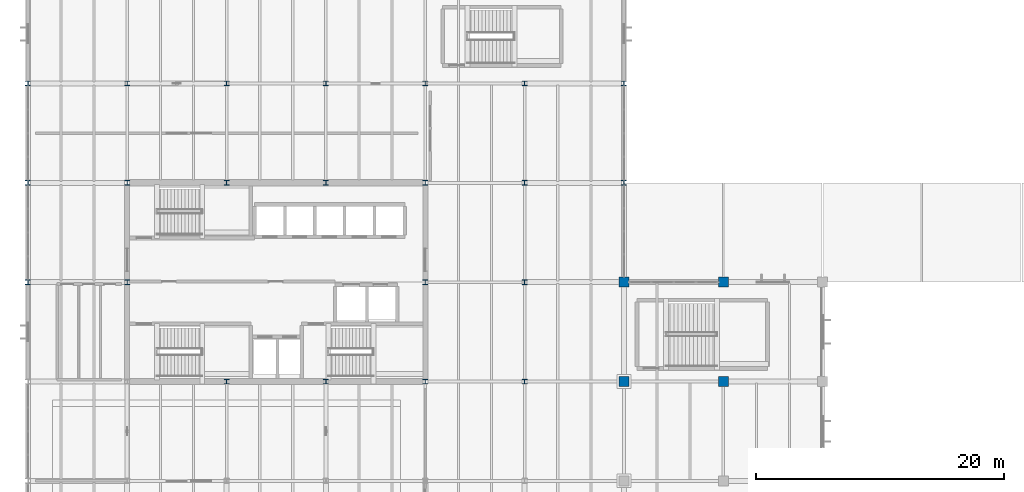
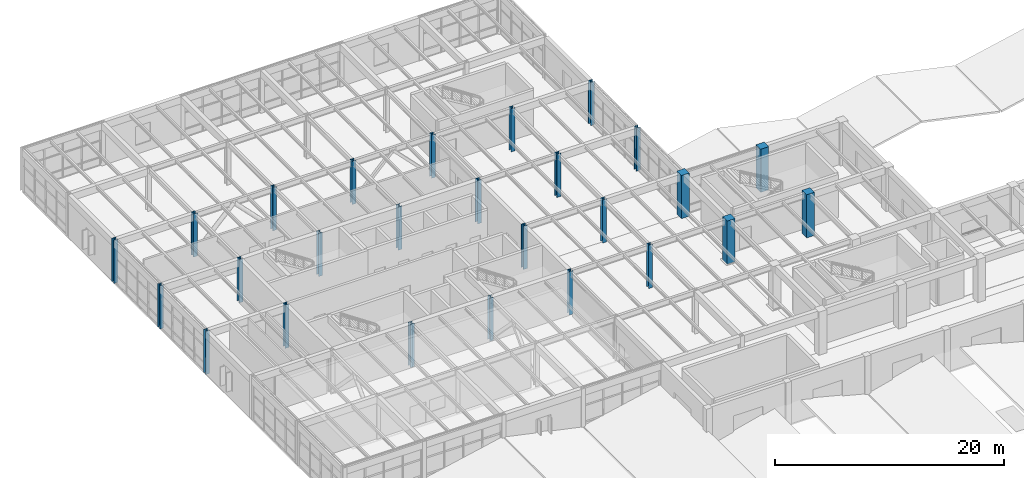
# One storey, part 2 of 60: 26 columns.
"""IFC4 building model written with IfcOpenShell, lengths in metres."""

from ifc_helpers import new_model, si_unit, direction, frame, origin, origin_2d, place, context, subcontext, project, spatial, rectangle, i_section, extrude, material, material_profile, profile_set, type_object, element, save


model = new_model("IFC4")

# Units and contexts
model_context = context("Model", 3, precision=1e-05, world=origin(), true_north=direction((0.0, 1.0)))
body_context = subcontext(model_context, "Body", "Model", "MODEL_VIEW")
ifc_project = project(units=[si_unit("LENGTHUNIT", "METRE"), si_unit("AREAUNIT", "SQUARE_METRE"), si_unit("VOLUMEUNIT", "CUBIC_METRE"), si_unit("PLANEANGLEUNIT", "RADIAN"), si_unit("MASSUNIT", "GRAM", prefix="KILO")], contexts=[model_context])

# Site, building, storey
site_placement = place(None, origin())
site = spatial("IfcSite", under=ifc_project, at=site_placement, CompositionType="ELEMENT")
building_placement = place(site_placement, origin())
building = spatial("IfcBuilding", under=site, at=building_placement, Name="Varnela Railside Interchange", CompositionType="ELEMENT")
storey_placement = place(building_placement, frame((0.0, 0.0, 6.300048828125)))
storey = spatial("IfcBuildingStorey", under=building, at=storey_placement, Name="L01", CompositionType="ELEMENT", Elevation=6.300048828125)

# Columns
ifc_material_1 = material(Name="Concrete C50", Category="concrete")
ifc_material_profile_1 = material_profile(ifc_material_1, rectangle(XDim=0.800048828125, YDim=0.800048828125, at=origin_2d()), Name="RC 800x800")
ifc_profile_set_1 = profile_set([ifc_material_profile_1], Name="Concrete C50")
column_type_1 = type_object("IfcColumnType", Name="Podium Concourse Column C-03", PredefinedType="COLUMN", material=ifc_profile_set_1)
for number, where, z_axis, x_axis, name in (
    (1, (52.0, 54.0, 0.0), (0.0, 0.0, 1.0), (1.0, 0.0, 0.0), "Column C-03 (L01) (CL-0692)"),
    (2, (52.0, 62.0, 0.0), (0.0, 0.0, 1.0), (1.0, 0.0, 0.0), "Column C-03 (L01) (CL-0693)"),
    (3, (60.0, 54.0, 0.0), (0.0, 0.0, 1.0), (1.0, 0.0, 0.0), "Column C-03 (L01) (CL-0701)"),
    (4, (60.0, 62.0, 0.0), (0.0, 0.0, 1.0), (1.0, 0.0, 0.0), "Column C-03 (L01) (CL-0702)"),
):
    element("IfcColumn", number, at=place(storey_placement, frame(where, z_axis=z_axis, x_axis=x_axis)), inside=storey, type_object=column_type_1, Name=name, PredefinedType="COLUMN", context=body_context, shape_type="SweptSolid", body=[
        extrude(rectangle(XDim=0.800048828125, YDim=0.800048828125, at=origin_2d()), origin(), (0.0, 0.0, 1.0), 4.599853515625),
    ])
ifc_material_2 = material(Name="Steel AR 350 (350 MPa)", Category="steel")
ifc_material_profile_2 = material_profile(ifc_material_2, i_section(OverallWidth=0.40087890625, OverallDepth=0.39892578125, WebThickness=0.02490234375, FlangeThickness=0.03955078125, at=origin_2d()), Name="W360x314")
ifc_profile_set_2 = profile_set([ifc_material_profile_2], Name="Steel AR 350 (350 MPa)")
column_type_2 = type_object("IfcColumnType", Name="Superstructure Steel Col C-15", PredefinedType="COLUMN", material=ifc_profile_set_2)
for number, where, z_axis, x_axis, name in (
    (5, (12.0, 62.0, 0.0), (0.0, 0.0, 1.0), (1.0, 0.0, 0.0), "Column C-15 (L01) (CL-0652)"),
    (6, (12.0, 70.0, 0.0), (0.0, 0.0, 1.0), (1.0, 0.0, 0.0), "Column C-15 (L01) (CL-0653)"),
    (7, (20.0, 54.0, 0.0), (0.0, 0.0, 1.0), (1.0, 0.0, 0.0), "Column C-15 (L01) (CL-0659)"),
    (8, (20.0, 70.0, 0.0), (0.0, 0.0, 1.0), (1.0, 0.0, 0.0), "Column C-15 (L01) (CL-0660)"),
    (9, (28.0, 54.0, 0.0), (0.0, 0.0, 1.0), (1.0, 0.0, 0.0), "Column C-15 (L01) (CL-0666)"),
    (10, (28.0, 70.0, 0.0), (0.0, 0.0, 1.0), (1.0, 0.0, 0.0), "Column C-15 (L01) (CL-0667)"),
    (11, (36.0, 54.0, 0.0), (0.0, 0.0, 1.0), (1.0, 0.0, 0.0), "Column C-15 (L01) (CL-0674)"),
    (12, (36.0, 62.0, 0.0), (0.0, 0.0, 1.0), (1.0, 0.0, 0.0), "Column C-15 (L01) (CL-0675)"),
    (13, (36.0, 70.0, 0.0), (0.0, 0.0, 1.0), (1.0, 0.0, 0.0), "Column C-15 (L01) (CL-0676)"),
):
    element("IfcColumn", number, at=place(storey_placement, frame(where, z_axis=z_axis, x_axis=x_axis)), inside=storey, type_object=column_type_2, Name=name, PredefinedType="COLUMN", context=body_context, shape_type="SweptSolid", body=[
        extrude(i_section(OverallWidth=0.40087890625, OverallDepth=0.39892578125, WebThickness=0.02490234375, FlangeThickness=0.03955078125, at=origin_2d()), origin(), (0.0, 0.0, 1.0), 4.599853515625),
    ])
ifc_material_profile_3 = material_profile(ifc_material_2, i_section(OverallWidth=0.39794921875, OverallDepth=0.386962890625, WebThickness=0.02099609375, FlangeThickness=0.033203125, at=origin_2d()), Name="W360x262")
ifc_profile_set_3 = profile_set([ifc_material_profile_3], Name="Steel AR 350 (350 MPa)")
column_type_3 = type_object("IfcColumnType", Name="Superstructure Steel Col C-16", PredefinedType="COLUMN", material=ifc_profile_set_3)
for number, where, z_axis, x_axis, name in (
    (14, (4.0, 62.0, 0.0), (0.0, 0.0, 1.0), (1.0, 0.0, 0.0), "Column C-16 (L01) (CL-0636)"),
    (15, (4.0, 70.0, 0.0), (0.0, 0.0, 1.0), (1.0, 0.0, 0.0), "Column C-16 (L01) (CL-0637)"),
    (16, (4.0, 78.0, 0.0), (0.0, 0.0, 1.0), (1.0, 0.0, 0.0), "Column C-16 (L01) (CL-0638)"),
    (17, (12.0, 78.0, 0.0), (0.0, 0.0, 1.0), (1.0, 0.0, 0.0), "Column C-16 (L01) (CL-0654)"),
    (18, (20.0, 78.0, 0.0), (0.0, 0.0, 1.0), (1.0, 0.0, 0.0), "Column C-16 (L01) (CL-0661)"),
    (19, (28.0, 78.0, 0.0), (0.0, 0.0, 1.0), (1.0, 0.0, 0.0), "Column C-16 (L01) (CL-0668)"),
    (20, (36.0, 78.0, 0.0), (0.0, 0.0, 1.0), (1.0, 0.0, 0.0), "Column C-16 (L01) (CL-0677)"),
    (21, (44.0, 54.0, 0.0), (0.0, 0.0, 1.0), (1.0, 0.0, 0.0), "Column C-16 (L01) (CL-0683)"),
    (22, (44.0, 62.0, 0.0), (0.0, 0.0, 1.0), (1.0, 0.0, 0.0), "Column C-16 (L01) (CL-0684)"),
    (23, (44.0, 70.0, 0.0), (0.0, 0.0, 1.0), (1.0, 0.0, 0.0), "Column C-16 (L01) (CL-0685)"),
    (24, (44.0, 78.0, 0.0), (0.0, 0.0, 1.0), (1.0, 0.0, 0.0), "Column C-16 (L01) (CL-0686)"),
    (25, (52.0, 70.0, 0.0), (0.0, 0.0, 1.0), (1.0, 0.0, 0.0), "Column C-16 (L01) (CL-0694)"),
    (26, (52.0, 78.0, 0.0), (0.0, 0.0, 1.0), (1.0, 0.0, 0.0), "Column C-16 (L01) (CL-0695)"),
):
    element("IfcColumn", number, at=place(storey_placement, frame(where, z_axis=z_axis, x_axis=x_axis)), inside=storey, type_object=column_type_3, Name=name, PredefinedType="COLUMN", context=body_context, shape_type="SweptSolid", body=[
        extrude(i_section(OverallWidth=0.39794921875, OverallDepth=0.386962890625, WebThickness=0.02099609375, FlangeThickness=0.033203125, at=origin_2d()), origin(), (0.0, 0.0, 1.0), 4.599853515625),
    ])

save(model, "model.ifc")
